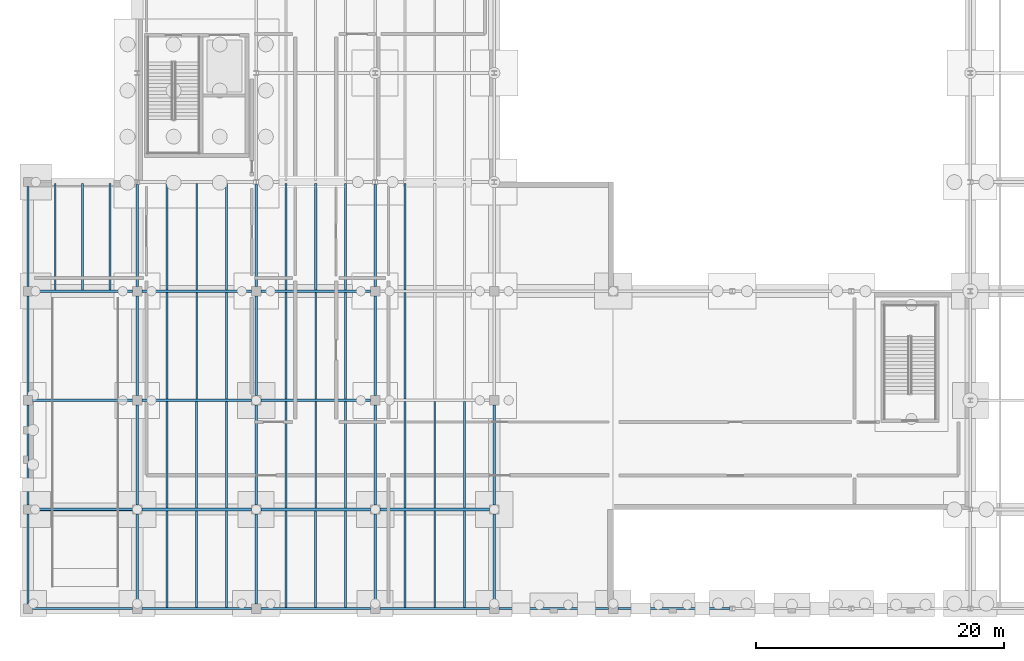
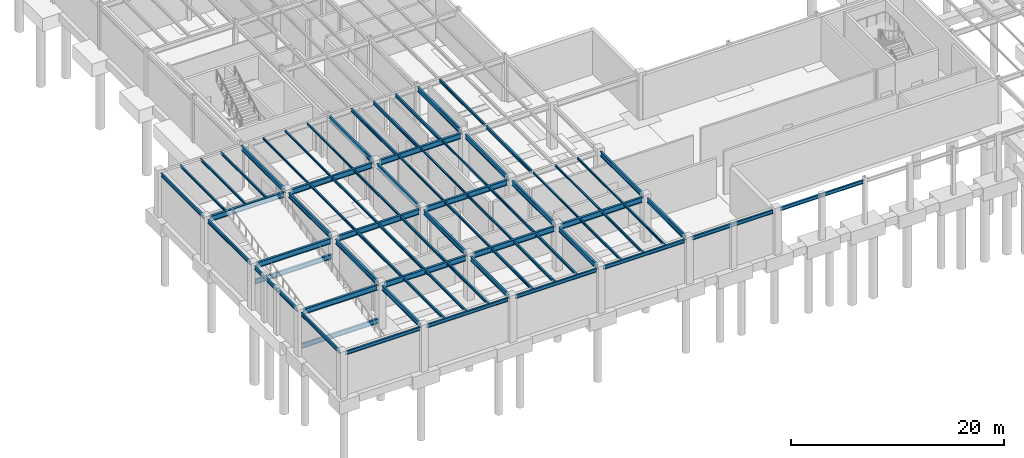
# One storey, part 17 of 48: 71 beams.
"""IFC4 building model written with IfcOpenShell, lengths in metres."""

from ifc_helpers import new_model, si_unit, direction, frame, origin, origin_2d, place, context, subcontext, project, spatial, i_section, extrude, material, material_profile, profile_set, type_object, element, save


model = new_model("IFC4")

# Units and contexts
model_context = context("Model", 3, precision=1e-05, world=origin(), true_north=direction((0.0, 1.0)))
body_context = subcontext(model_context, "Body", "Model", "MODEL_VIEW")
ifc_project = project(units=[si_unit("LENGTHUNIT", "METRE"), si_unit("AREAUNIT", "SQUARE_METRE"), si_unit("VOLUMEUNIT", "CUBIC_METRE"), si_unit("PLANEANGLEUNIT", "RADIAN"), si_unit("MASSUNIT", "GRAM", prefix="KILO")], contexts=[model_context])

# Site, building, storey
site_placement = place(None, origin())
site = spatial("IfcSite", under=ifc_project, at=site_placement, CompositionType="ELEMENT")
building_placement = place(site_placement, origin())
building = spatial("IfcBuilding", under=site, at=building_placement, Name="Sarnbrook Museum", CompositionType="ELEMENT")
storey_placement = place(building_placement, frame((0.0, 0.0, -5.39990234375)))
storey = spatial("IfcBuildingStorey", under=building, at=storey_placement, Name="B1", CompositionType="ELEMENT", Elevation=-5.39990234375)

# Beams
ifc_material = material(Name="Structural Steel Grade 300PLUS (AS/NZS 3679.1, fy = 280 MPa for 17 < t <= 40 mm, 300 MPa for t <= 17 mm)", Category="steel")
ifc_material_profile_1 = material_profile(ifc_material, i_section(OverallWidth=0.208984375, OverallDepth=0.532958984375, WebThickness=0.01025390625, FlangeThickness=0.015625, FilletRadius=0.013916015625, at=origin_2d()), Name="530UB92.4")
ifc_profile_set_1 = profile_set([ifc_material_profile_1], Name="Structural Steel Grade 300PLUS (AS/NZS 3679.1, fy = 280 MPa for 17 < t <= 40 mm, 300 MPa for t <= 17 mm)")
beam_type_1 = type_object("IfcBeamType", Name="BM-UB530", PredefinedType="BEAM", material=ifc_profile_set_1)
beam_1_placement = place(storey_placement, frame((13.60009765625, 5.175048828125, 4.803466796875), z_axis=(0.0, 1.0, 0.0), x_axis=(-1.0, 0.0, 0.0)))
element("IfcBeam", 1, at=beam_1_placement, inside=storey, type_object=beam_type_1, Name="Girder 2:A-B B1", PredefinedType="BEAM", context=body_context, shape_type="SweptSolid", body=[
    extrude(i_section(OverallWidth=0.208984375, OverallDepth=0.532958984375, WebThickness=0.01025390625, FlangeThickness=0.015625, FilletRadius=0.013916015625, at=origin_2d()), origin(), (0.0, 0.0, 1.0), 7.25),
])
beam_2_placement = place(storey_placement, frame((13.60009765625, 13.175048828125, 4.803466796875), z_axis=(0.0, 1.0, 0.0), x_axis=(-1.0, 0.0, 0.0)))
element("IfcBeam", 2, at=beam_2_placement, inside=storey, type_object=beam_type_1, Name="Girder 2:B-C B1", PredefinedType="BEAM", context=body_context, shape_type="SweptSolid", body=[
    extrude(i_section(OverallWidth=0.208984375, OverallDepth=0.532958984375, WebThickness=0.01025390625, FlangeThickness=0.015625, FilletRadius=0.013916015625, at=origin_2d()), origin(), (0.0, 0.0, 1.0), 8.050048828125),
])
beam_3_placement = place(storey_placement, frame((13.60009765625, 21.97509765625, 4.803466796875), z_axis=(0.0, 1.0, 0.0), x_axis=(-1.0, 0.0, 0.0)))
element("IfcBeam", 3, at=beam_3_placement, inside=storey, type_object=beam_type_1, Name="Girder 2:C-D B1", PredefinedType="BEAM", context=body_context, shape_type="SweptSolid", body=[
    extrude(i_section(OverallWidth=0.208984375, OverallDepth=0.532958984375, WebThickness=0.01025390625, FlangeThickness=0.015625, FilletRadius=0.013916015625, at=origin_2d()), origin(), (0.0, 0.0, 1.0), 8.0498046875),
])
beam_4_placement = place(storey_placement, frame((13.60009765625, 30.77490234375, 4.803466796875), z_axis=(0.0, 1.0, 0.0), x_axis=(-1.0, 0.0, 0.0)))
element("IfcBeam", 4, at=beam_4_placement, inside=storey, type_object=beam_type_1, Name="Girder 2:D-E B1", PredefinedType="BEAM", context=body_context, shape_type="SweptSolid", body=[
    extrude(i_section(OverallWidth=0.208984375, OverallDepth=0.532958984375, WebThickness=0.01025390625, FlangeThickness=0.015625, FilletRadius=0.013916015625, at=origin_2d()), origin(), (0.0, 0.0, 1.0), 8.234130859375),
])
beam_5_placement = place(storey_placement, frame((23.199951171875, 5.175048828125, 4.803466796875), z_axis=(0.0, 1.0, 0.0), x_axis=(-1.0, 0.0, 0.0)))
element("IfcBeam", 5, at=beam_5_placement, inside=storey, type_object=beam_type_1, Name="Girder 3:A-B B1", PredefinedType="BEAM", context=body_context, shape_type="SweptSolid", body=[
    extrude(i_section(OverallWidth=0.208984375, OverallDepth=0.532958984375, WebThickness=0.01025390625, FlangeThickness=0.015625, FilletRadius=0.013916015625, at=origin_2d()), origin(), (0.0, 0.0, 1.0), 7.25),
])
beam_6_placement = place(storey_placement, frame((23.199951171875, 13.175048828125, 4.803466796875), z_axis=(0.0, 1.0, 0.0), x_axis=(-1.0, 0.0, 0.0)))
element("IfcBeam", 6, at=beam_6_placement, inside=storey, type_object=beam_type_1, Name="Girder 3:B-C B1", PredefinedType="BEAM", context=body_context, shape_type="SweptSolid", body=[
    extrude(i_section(OverallWidth=0.208984375, OverallDepth=0.532958984375, WebThickness=0.01025390625, FlangeThickness=0.015625, FilletRadius=0.013916015625, at=origin_2d()), origin(), (0.0, 0.0, 1.0), 8.050048828125),
])
beam_7_placement = place(storey_placement, frame((23.199951171875, 21.97509765625, 4.803466796875), z_axis=(0.0, 1.0, 0.0), x_axis=(-1.0, 0.0, 0.0)))
element("IfcBeam", 7, at=beam_7_placement, inside=storey, type_object=beam_type_1, Name="Girder 3:C-D B1", PredefinedType="BEAM", context=body_context, shape_type="SweptSolid", body=[
    extrude(i_section(OverallWidth=0.208984375, OverallDepth=0.532958984375, WebThickness=0.01025390625, FlangeThickness=0.015625, FilletRadius=0.013916015625, at=origin_2d()), origin(), (0.0, 0.0, 1.0), 8.0498046875),
])
beam_8_placement = place(storey_placement, frame((23.199951171875, 30.77490234375, 4.803466796875), z_axis=(0.0, 1.0, 0.0), x_axis=(-1.0, 0.0, 0.0)))
element("IfcBeam", 8, at=beam_8_placement, inside=storey, type_object=beam_type_1, Name="Girder 3:D-E B1", PredefinedType="BEAM", context=body_context, shape_type="SweptSolid", body=[
    extrude(i_section(OverallWidth=0.208984375, OverallDepth=0.532958984375, WebThickness=0.01025390625, FlangeThickness=0.015625, FilletRadius=0.013916015625, at=origin_2d()), origin(), (0.0, 0.0, 1.0), 8.234130859375),
])
beam_9_placement = place(storey_placement, frame((32.800048828125, 5.175048828125, 4.803466796875), z_axis=(0.0, 1.0, 0.0), x_axis=(-1.0, 0.0, 0.0)))
element("IfcBeam", 9, at=beam_9_placement, inside=storey, type_object=beam_type_1, Name="Girder 4:A-B B1", PredefinedType="BEAM", context=body_context, shape_type="SweptSolid", body=[
    extrude(i_section(OverallWidth=0.208984375, OverallDepth=0.532958984375, WebThickness=0.01025390625, FlangeThickness=0.015625, FilletRadius=0.013916015625, at=origin_2d()), origin(), (0.0, 0.0, 1.0), 7.25),
])
beam_10_placement = place(storey_placement, frame((32.800048828125, 13.175048828125, 4.803466796875), z_axis=(0.0, 1.0, 0.0), x_axis=(-1.0, 0.0, 0.0)))
element("IfcBeam", 10, at=beam_10_placement, inside=storey, type_object=beam_type_1, Name="Girder 4:B-C B1", PredefinedType="BEAM", context=body_context, shape_type="SweptSolid", body=[
    extrude(i_section(OverallWidth=0.208984375, OverallDepth=0.532958984375, WebThickness=0.01025390625, FlangeThickness=0.015625, FilletRadius=0.013916015625, at=origin_2d()), origin(), (0.0, 0.0, 1.0), 8.050048828125),
])
beam_11_placement = place(storey_placement, frame((32.800048828125, 21.97509765625, 4.803466796875), z_axis=(0.0, 1.0, 0.0), x_axis=(-1.0, 0.0, 0.0)))
element("IfcBeam", 11, at=beam_11_placement, inside=storey, type_object=beam_type_1, Name="Girder 4:C-D B1", PredefinedType="BEAM", context=body_context, shape_type="SweptSolid", body=[
    extrude(i_section(OverallWidth=0.208984375, OverallDepth=0.532958984375, WebThickness=0.01025390625, FlangeThickness=0.015625, FilletRadius=0.013916015625, at=origin_2d()), origin(), (0.0, 0.0, 1.0), 8.0498046875),
])
beam_12_placement = place(storey_placement, frame((32.800048828125, 30.77490234375, 4.803466796875), z_axis=(0.0, 1.0, 0.0), x_axis=(-1.0, 0.0, 0.0)))
element("IfcBeam", 12, at=beam_12_placement, inside=storey, type_object=beam_type_1, Name="Girder 4:D-E B1", PredefinedType="BEAM", context=body_context, shape_type="SweptSolid", body=[
    extrude(i_section(OverallWidth=0.208984375, OverallDepth=0.532958984375, WebThickness=0.01025390625, FlangeThickness=0.015625, FilletRadius=0.013916015625, at=origin_2d()), origin(), (0.0, 0.0, 1.0), 8.234130859375),
])
beam_13_placement = place(storey_placement, frame((42.39990234375, 5.175048828125, 4.803466796875), z_axis=(0.0, 1.0, 0.0), x_axis=(-1.0, 0.0, 0.0)))
element("IfcBeam", 13, at=beam_13_placement, inside=storey, type_object=beam_type_1, Name="Girder 5:A-B B1", PredefinedType="BEAM", context=body_context, shape_type="SweptSolid", body=[
    extrude(i_section(OverallWidth=0.208984375, OverallDepth=0.532958984375, WebThickness=0.01025390625, FlangeThickness=0.015625, FilletRadius=0.013916015625, at=origin_2d()), origin(), (0.0, 0.0, 1.0), 7.25),
])
beam_14_placement = place(storey_placement, frame((42.39990234375, 13.175048828125, 4.803466796875), z_axis=(0.0, 1.0, 0.0), x_axis=(-1.0, 0.0, 0.0)))
element("IfcBeam", 14, at=beam_14_placement, inside=storey, type_object=beam_type_1, Name="Girder 5:B-C B1", PredefinedType="BEAM", context=body_context, shape_type="SweptSolid", body=[
    extrude(i_section(OverallWidth=0.208984375, OverallDepth=0.532958984375, WebThickness=0.01025390625, FlangeThickness=0.015625, FilletRadius=0.013916015625, at=origin_2d()), origin(), (0.0, 0.0, 1.0), 8.050048828125),
])
for number, where, z_axis, x_axis, name in (
    (15, (5.050048828125, 12.800048828125, 0.885009765625), (1.0, 0.0, 0.0), (0.0, 1.0, 0.0), "Vehicle Ramp VR-1 Transverse Support Girder 1 B1"),
    (16, (5.050048828125, 21.60009765625, 2.932861328125), (1.0, 0.0, 0.0), (0.0, 1.0, 0.0), "Vehicle Ramp VR-1 Transverse Support Girder 2 B1"),
):
    element("IfcBeam", number, at=place(storey_placement, frame(where, z_axis=z_axis, x_axis=x_axis)), inside=storey, type_object=beam_type_1, Name=name, PredefinedType="BEAM", context=body_context, shape_type="SweptSolid", body=[
        extrude(i_section(OverallWidth=0.208984375, OverallDepth=0.532958984375, WebThickness=0.01025390625, FlangeThickness=0.015625, FilletRadius=0.013916015625, at=origin_2d()), origin(), (0.0, 0.0, 1.0), 8.349853515625),
    ])
ifc_material_profile_2 = material_profile(ifc_material, i_section(OverallWidth=0.22900390625, OverallDepth=0.612060546875, WebThickness=0.011962890625, FlangeThickness=0.01953125, FilletRadius=0.013916015625, at=origin_2d()), Name="610UB125")
ifc_profile_set_2 = profile_set([ifc_material_profile_2], Name="Structural Steel Grade 300PLUS (AS/NZS 3679.1, fy = 280 MPa for 17 < t <= 40 mm, 300 MPa for t <= 17 mm)")
beam_type_2 = type_object("IfcBeamType", Name="BM-UB610H", PredefinedType="BEAM", material=ifc_profile_set_2)
beam_15_placement = place(storey_placement, frame((5.175048828125, 12.800048828125, 4.763916015625), z_axis=(1.0, 0.0, 0.0), x_axis=(0.0, 1.0, 0.0)))
element("IfcBeam", 17, at=beam_15_placement, inside=storey, type_object=beam_type_2, Name="Girder B:1-2 B1", PredefinedType="BEAM", context=body_context, shape_type="SweptSolid", body=[
    extrude(i_section(OverallWidth=0.22900390625, OverallDepth=0.612060546875, WebThickness=0.011962890625, FlangeThickness=0.01953125, FilletRadius=0.013916015625, at=origin_2d()), origin(), (0.0, 0.0, 1.0), 8.050048828125),
])
beam_16_placement = place(storey_placement, frame((13.97509765625, 12.800048828125, 4.763916015625), z_axis=(1.0, 0.0, 0.0), x_axis=(0.0, 1.0, 0.0)))
element("IfcBeam", 18, at=beam_16_placement, inside=storey, type_object=beam_type_2, Name="Girder B:2-3 B1", PredefinedType="BEAM", context=body_context, shape_type="SweptSolid", body=[
    extrude(i_section(OverallWidth=0.22900390625, OverallDepth=0.612060546875, WebThickness=0.011962890625, FlangeThickness=0.01953125, FilletRadius=0.013916015625, at=origin_2d()), origin(), (0.0, 0.0, 1.0), 8.849853515625),
])
beam_17_placement = place(storey_placement, frame((23.574951171875, 12.800048828125, 4.763916015625), z_axis=(1.0, 0.0, 0.0), x_axis=(0.0, 1.0, 0.0)))
element("IfcBeam", 19, at=beam_17_placement, inside=storey, type_object=beam_type_2, Name="Girder B:3-4 B1", PredefinedType="BEAM", context=body_context, shape_type="SweptSolid", body=[
    extrude(i_section(OverallWidth=0.22900390625, OverallDepth=0.612060546875, WebThickness=0.011962890625, FlangeThickness=0.01953125, FilletRadius=0.013916015625, at=origin_2d()), origin(), (0.0, 0.0, 1.0), 8.85009765625),
])
beam_18_placement = place(storey_placement, frame((33.175048828125, 12.800048828125, 4.763916015625), z_axis=(1.0, 0.0, 0.0), x_axis=(0.0, 1.0, 0.0)))
element("IfcBeam", 20, at=beam_18_placement, inside=storey, type_object=beam_type_2, Name="Girder B:4-5 B1", PredefinedType="BEAM", context=body_context, shape_type="SweptSolid", body=[
    extrude(i_section(OverallWidth=0.22900390625, OverallDepth=0.612060546875, WebThickness=0.011962890625, FlangeThickness=0.01953125, FilletRadius=0.013916015625, at=origin_2d()), origin(), (0.0, 0.0, 1.0), 8.849853515625),
])
beam_19_placement = place(storey_placement, frame((5.175048828125, 21.60009765625, 4.763916015625), z_axis=(1.0, 0.0, 0.0), x_axis=(0.0, 1.0, 0.0)))
element("IfcBeam", 21, at=beam_19_placement, inside=storey, type_object=beam_type_2, Name="Girder C:1-2 B1", PredefinedType="BEAM", context=body_context, shape_type="SweptSolid", body=[
    extrude(i_section(OverallWidth=0.22900390625, OverallDepth=0.612060546875, WebThickness=0.011962890625, FlangeThickness=0.01953125, FilletRadius=0.013916015625, at=origin_2d()), origin(), (0.0, 0.0, 1.0), 8.050048828125),
])
beam_20_placement = place(storey_placement, frame((13.97509765625, 21.60009765625, 4.763916015625), z_axis=(1.0, 0.0, 0.0), x_axis=(0.0, 1.0, 0.0)))
element("IfcBeam", 22, at=beam_20_placement, inside=storey, type_object=beam_type_2, Name="Girder C:2-3 B1", PredefinedType="BEAM", context=body_context, shape_type="SweptSolid", body=[
    extrude(i_section(OverallWidth=0.22900390625, OverallDepth=0.612060546875, WebThickness=0.011962890625, FlangeThickness=0.01953125, FilletRadius=0.013916015625, at=origin_2d()), origin(), (0.0, 0.0, 1.0), 8.849853515625),
])
beam_21_placement = place(storey_placement, frame((23.574951171875, 21.60009765625, 4.763916015625), z_axis=(1.0, 0.0, 0.0), x_axis=(0.0, 1.0, 0.0)))
element("IfcBeam", 23, at=beam_21_placement, inside=storey, type_object=beam_type_2, Name="Girder C:3-4 B1", PredefinedType="BEAM", context=body_context, shape_type="SweptSolid", body=[
    extrude(i_section(OverallWidth=0.22900390625, OverallDepth=0.612060546875, WebThickness=0.011962890625, FlangeThickness=0.01953125, FilletRadius=0.013916015625, at=origin_2d()), origin(), (0.0, 0.0, 1.0), 8.85009765625),
])
beam_22_placement = place(storey_placement, frame((5.175048828125, 30.39990234375, 4.763916015625), z_axis=(1.0, 0.0, 0.0), x_axis=(0.0, 1.0, 0.0)))
element("IfcBeam", 24, at=beam_22_placement, inside=storey, type_object=beam_type_2, Name="Girder D:1-2 B1", PredefinedType="BEAM", context=body_context, shape_type="SweptSolid", body=[
    extrude(i_section(OverallWidth=0.22900390625, OverallDepth=0.612060546875, WebThickness=0.011962890625, FlangeThickness=0.01953125, FilletRadius=0.013916015625, at=origin_2d()), origin(), (0.0, 0.0, 1.0), 8.050048828125),
])
beam_23_placement = place(storey_placement, frame((13.97509765625, 30.39990234375, 4.763916015625), z_axis=(1.0, 0.0, 0.0), x_axis=(0.0, 1.0, 0.0)))
element("IfcBeam", 25, at=beam_23_placement, inside=storey, type_object=beam_type_2, Name="Girder D:2-3 B1", PredefinedType="BEAM", context=body_context, shape_type="SweptSolid", body=[
    extrude(i_section(OverallWidth=0.22900390625, OverallDepth=0.612060546875, WebThickness=0.011962890625, FlangeThickness=0.01953125, FilletRadius=0.013916015625, at=origin_2d()), origin(), (0.0, 0.0, 1.0), 8.849853515625),
])
beam_24_placement = place(storey_placement, frame((23.574951171875, 30.39990234375, 4.763916015625), z_axis=(1.0, 0.0, 0.0), x_axis=(0.0, 1.0, 0.0)))
element("IfcBeam", 26, at=beam_24_placement, inside=storey, type_object=beam_type_2, Name="Girder D:3-4 B1", PredefinedType="BEAM", context=body_context, shape_type="SweptSolid", body=[
    extrude(i_section(OverallWidth=0.22900390625, OverallDepth=0.612060546875, WebThickness=0.011962890625, FlangeThickness=0.01953125, FilletRadius=0.013916015625, at=origin_2d()), origin(), (0.0, 0.0, 1.0), 8.85009765625),
])
ifc_material_profile_3 = material_profile(ifc_material, i_section(OverallWidth=0.134033203125, OverallDepth=0.20703125, WebThickness=0.00634765625, FlangeThickness=0.009521484375, FilletRadius=0.0087890625, at=origin_2d()), Name="200UB29.8")
ifc_profile_set_3 = profile_set([ifc_material_profile_3], Name="Structural Steel Grade 300PLUS (AS/NZS 3679.1, fy = 280 MPa for 17 < t <= 40 mm, 300 MPa for t <= 17 mm)")
beam_type_3 = type_object("IfcBeamType", Name="JS-UB200", PredefinedType="JOIST", material=ifc_profile_set_3)
for number, where, z_axis, x_axis, name in (
    (27, (16.0, 30.514404296875, 4.96630859375), (0.0, 1.0, 0.0), (-1.0, 0.0, 0.0), "Composite Floor Joist 2D-1 B1"),
    (28, (18.39990234375, 30.514404296875, 4.96630859375), (0.0, 1.0, 0.0), (-1.0, 0.0, 0.0), "Composite Floor Joist 2D-2 B1"),
    (29, (20.800048828125, 30.514404296875, 4.96630859375), (0.0, 1.0, 0.0), (-1.0, 0.0, 0.0), "Composite Floor Joist 2D-3 B1"),
):
    element("IfcBeam", number, at=place(storey_placement, frame(where, z_axis=z_axis, x_axis=x_axis)), inside=storey, type_object=beam_type_3, Name=name, PredefinedType="JOIST", context=body_context, shape_type="SweptSolid", body=[
        extrude(i_section(OverallWidth=0.134033203125, OverallDepth=0.20703125, WebThickness=0.00634765625, FlangeThickness=0.009521484375, FilletRadius=0.0087890625, at=origin_2d()), origin(), (0.0, 0.0, 1.0), 8.571044921875),
    ])
for number, where, z_axis, x_axis, name in (
    (30, (25.60009765625, 21.714599609375, 4.96630859375), (0.0, 1.0, 0.0), (-1.0, 0.0, 0.0), "Composite Floor Joist 3C-1 B1"),
    (31, (28.0, 21.714599609375, 4.96630859375), (0.0, 1.0, 0.0), (-1.0, 0.0, 0.0), "Composite Floor Joist 3C-2 B1"),
    (32, (30.39990234375, 21.714599609375, 4.96630859375), (0.0, 1.0, 0.0), (-1.0, 0.0, 0.0), "Composite Floor Joist 3C-3 B1"),
):
    element("IfcBeam", number, at=place(storey_placement, frame(where, z_axis=z_axis, x_axis=x_axis)), inside=storey, type_object=beam_type_3, Name=name, PredefinedType="JOIST", context=body_context, shape_type="SweptSolid", body=[
        extrude(i_section(OverallWidth=0.134033203125, OverallDepth=0.20703125, WebThickness=0.00634765625, FlangeThickness=0.009521484375, FilletRadius=0.0087890625, at=origin_2d()), origin(), (0.0, 0.0, 1.0), 8.57080078125),
    ])
for number, where, z_axis, x_axis, name in (
    (33, (35.199951171875, 12.91455078125, 4.96630859375), (0.0, 1.0, 0.0), (-1.0, 0.0, 0.0), "Composite Floor Joist 4B-1 B1"),
    (34, (37.60009765625, 12.91455078125, 4.96630859375), (0.0, 1.0, 0.0), (-1.0, 0.0, 0.0), "Composite Floor Joist 4B-2 B1"),
    (35, (40.0, 12.91455078125, 4.96630859375), (0.0, 1.0, 0.0), (-1.0, 0.0, 0.0), "Composite Floor Joist 4B-3 B1"),
):
    element("IfcBeam", number, at=place(storey_placement, frame(where, z_axis=z_axis, x_axis=x_axis)), inside=storey, type_object=beam_type_3, Name=name, PredefinedType="JOIST", context=body_context, shape_type="SweptSolid", body=[
        extrude(i_section(OverallWidth=0.134033203125, OverallDepth=0.20703125, WebThickness=0.00634765625, FlangeThickness=0.009521484375, FilletRadius=0.0087890625, at=origin_2d()), origin(), (0.0, 0.0, 1.0), 8.571044921875),
    ])
ifc_material_profile_4 = material_profile(ifc_material, i_section(OverallWidth=0.14599609375, OverallDepth=0.256103515625, WebThickness=0.00634765625, FlangeThickness=0.010986328125, FilletRadius=0.0087890625, at=origin_2d()), Name="250UB37.3")
ifc_profile_set_4 = profile_set([ifc_material_profile_4], Name="Structural Steel Grade 300PLUS (AS/NZS 3679.1, fy = 280 MPa for 17 < t <= 40 mm, 300 MPa for t <= 17 mm)")
beam_type_4 = type_object("IfcBeamType", Name="JS-UB250", PredefinedType="JOIST", material=ifc_profile_set_4)
for number, where, z_axis, x_axis, name in (
    (36, (7.0, 30.514404296875, 4.94189453125), (0.0, 1.0, 0.0), (-1.0, 0.0, 0.0), "Composite Floor Joist 1D-1 B1"),
    (37, (9.199951171875, 30.514404296875, 4.94189453125), (0.0, 1.0, 0.0), (-1.0, 0.0, 0.0), "Composite Floor Joist 1D-2 B1"),
    (38, (11.39990234375, 30.514404296875, 4.94189453125), (0.0, 1.0, 0.0), (-1.0, 0.0, 0.0), "Composite Floor Joist 1D-3 B1"),
):
    element("IfcBeam", number, at=place(storey_placement, frame(where, z_axis=z_axis, x_axis=x_axis)), inside=storey, type_object=beam_type_4, Name=name, PredefinedType="JOIST", context=body_context, shape_type="SweptSolid", body=[
        extrude(i_section(OverallWidth=0.14599609375, OverallDepth=0.256103515625, WebThickness=0.00634765625, FlangeThickness=0.010986328125, FilletRadius=0.0087890625, at=origin_2d()), origin(), (0.0, 0.0, 1.0), 8.571044921875),
    ])
for number, where, z_axis, x_axis, name in (
    (39, (16.0, 21.714599609375, 4.94189453125), (0.0, 1.0, 0.0), (-1.0, 0.0, 0.0), "Composite Floor Joist 2C-1 B1"),
    (40, (18.39990234375, 21.714599609375, 4.94189453125), (0.0, 1.0, 0.0), (-1.0, 0.0, 0.0), "Composite Floor Joist 2C-2 B1"),
    (41, (20.800048828125, 21.714599609375, 4.94189453125), (0.0, 1.0, 0.0), (-1.0, 0.0, 0.0), "Composite Floor Joist 2C-3 B1"),
):
    element("IfcBeam", number, at=place(storey_placement, frame(where, z_axis=z_axis, x_axis=x_axis)), inside=storey, type_object=beam_type_4, Name=name, PredefinedType="JOIST", context=body_context, shape_type="SweptSolid", body=[
        extrude(i_section(OverallWidth=0.14599609375, OverallDepth=0.256103515625, WebThickness=0.00634765625, FlangeThickness=0.010986328125, FilletRadius=0.0087890625, at=origin_2d()), origin(), (0.0, 0.0, 1.0), 8.57080078125),
    ])
for number, where, z_axis, x_axis, name in (
    (42, (25.60009765625, 12.91455078125, 4.94189453125), (0.0, 1.0, 0.0), (-1.0, 0.0, 0.0), "Composite Floor Joist 3B-1 B1"),
    (43, (28.0, 12.91455078125, 4.94189453125), (0.0, 1.0, 0.0), (-1.0, 0.0, 0.0), "Composite Floor Joist 3B-2 B1"),
    (44, (30.39990234375, 12.91455078125, 4.94189453125), (0.0, 1.0, 0.0), (-1.0, 0.0, 0.0), "Composite Floor Joist 3B-3 B1"),
):
    element("IfcBeam", number, at=place(storey_placement, frame(where, z_axis=z_axis, x_axis=x_axis)), inside=storey, type_object=beam_type_4, Name=name, PredefinedType="JOIST", context=body_context, shape_type="SweptSolid", body=[
        extrude(i_section(OverallWidth=0.14599609375, OverallDepth=0.256103515625, WebThickness=0.00634765625, FlangeThickness=0.010986328125, FilletRadius=0.0087890625, at=origin_2d()), origin(), (0.0, 0.0, 1.0), 8.571044921875),
    ])
for number, where, z_axis, x_axis, name in (
    (45, (35.199951171875, 4.888916015625, 4.94189453125), (0.0, 1.0, 0.0), (-1.0, 0.0, 0.0), "Composite Floor Joist 4A-1 B1"),
    (46, (37.60009765625, 4.888916015625, 4.94189453125), (0.0, 1.0, 0.0), (-1.0, 0.0, 0.0), "Composite Floor Joist 4A-2 B1"),
    (47, (40.0, 4.888916015625, 4.94189453125), (0.0, 1.0, 0.0), (-1.0, 0.0, 0.0), "Composite Floor Joist 4A-3 B1"),
):
    element("IfcBeam", number, at=place(storey_placement, frame(where, z_axis=z_axis, x_axis=x_axis)), inside=storey, type_object=beam_type_4, Name=name, PredefinedType="JOIST", context=body_context, shape_type="SweptSolid", body=[
        extrude(i_section(OverallWidth=0.14599609375, OverallDepth=0.256103515625, WebThickness=0.00634765625, FlangeThickness=0.010986328125, FilletRadius=0.0087890625, at=origin_2d()), origin(), (0.0, 0.0, 1.0), 7.796630859375),
    ])
ifc_material_profile_5 = material_profile(ifc_material, i_section(OverallWidth=0.1650390625, OverallDepth=0.303955078125, WebThickness=0.006103515625, FlangeThickness=0.01025390625, FilletRadius=0.011474609375, at=origin_2d()), Name="310UB40.4")
ifc_profile_set_5 = profile_set([ifc_material_profile_5], Name="Structural Steel Grade 300PLUS (AS/NZS 3679.1, fy = 280 MPa for 17 < t <= 40 mm, 300 MPa for t <= 17 mm)")
beam_type_5 = type_object("IfcBeamType", Name="JS-UB310", PredefinedType="JOIST", material=ifc_profile_set_5)
for number, where, z_axis, x_axis, name in (
    (48, (16.0, 12.91455078125, 4.91796875), (0.0, 1.0, 0.0), (-1.0, 0.0, 0.0), "Composite Floor Joist 2B-1 B1"),
    (49, (18.39990234375, 12.91455078125, 4.91796875), (0.0, 1.0, 0.0), (-1.0, 0.0, 0.0), "Composite Floor Joist 2B-2 B1"),
    (50, (20.800048828125, 12.91455078125, 4.91796875), (0.0, 1.0, 0.0), (-1.0, 0.0, 0.0), "Composite Floor Joist 2B-3 B1"),
):
    element("IfcBeam", number, at=place(storey_placement, frame(where, z_axis=z_axis, x_axis=x_axis)), inside=storey, type_object=beam_type_5, Name=name, PredefinedType="JOIST", context=body_context, shape_type="SweptSolid", body=[
        extrude(i_section(OverallWidth=0.1650390625, OverallDepth=0.303955078125, WebThickness=0.006103515625, FlangeThickness=0.01025390625, FilletRadius=0.011474609375, at=origin_2d()), origin(), (0.0, 0.0, 1.0), 8.571044921875),
    ])
for number, where, z_axis, x_axis, name in (
    (51, (25.60009765625, 4.888916015625, 4.91796875), (0.0, 1.0, 0.0), (-1.0, 0.0, 0.0), "Composite Floor Joist 3A-1 B1"),
    (52, (28.0, 4.888916015625, 4.91796875), (0.0, 1.0, 0.0), (-1.0, 0.0, 0.0), "Composite Floor Joist 3A-2 B1"),
    (53, (30.39990234375, 4.888916015625, 4.91796875), (0.0, 1.0, 0.0), (-1.0, 0.0, 0.0), "Composite Floor Joist 3A-3 B1"),
):
    element("IfcBeam", number, at=place(storey_placement, frame(where, z_axis=z_axis, x_axis=x_axis)), inside=storey, type_object=beam_type_5, Name=name, PredefinedType="JOIST", context=body_context, shape_type="SweptSolid", body=[
        extrude(i_section(OverallWidth=0.1650390625, OverallDepth=0.303955078125, WebThickness=0.006103515625, FlangeThickness=0.01025390625, FilletRadius=0.011474609375, at=origin_2d()), origin(), (0.0, 0.0, 1.0), 7.796630859375),
    ])
ifc_material_profile_6 = material_profile(ifc_material, i_section(OverallWidth=0.166015625, OverallDepth=0.306884765625, WebThickness=0.006591796875, FlangeThickness=0.01171875, FilletRadius=0.011474609375, at=origin_2d()), Name="310UB46.2")
ifc_profile_set_6 = profile_set([ifc_material_profile_6], Name="Structural Steel Grade 300PLUS (AS/NZS 3679.1, fy = 280 MPa for 17 < t <= 40 mm, 300 MPa for t <= 17 mm)")
beam_type_6 = type_object("IfcBeamType", Name="JS-UB310H", PredefinedType="JOIST", material=ifc_profile_set_6)
for number, where, z_axis, x_axis, name in (
    (54, (16.0, 4.888916015625, 4.91650390625), (0.0, 1.0, 0.0), (-1.0, 0.0, 0.0), "Composite Floor Joist 2A-1 B1"),
    (55, (18.39990234375, 4.888916015625, 4.91650390625), (0.0, 1.0, 0.0), (-1.0, 0.0, 0.0), "Composite Floor Joist 2A-2 B1"),
    (56, (20.800048828125, 4.888916015625, 4.91650390625), (0.0, 1.0, 0.0), (-1.0, 0.0, 0.0), "Composite Floor Joist 2A-3 B1"),
):
    element("IfcBeam", number, at=place(storey_placement, frame(where, z_axis=z_axis, x_axis=x_axis)), inside=storey, type_object=beam_type_6, Name=name, PredefinedType="JOIST", context=body_context, shape_type="SweptSolid", body=[
        extrude(i_section(OverallWidth=0.166015625, OverallDepth=0.306884765625, WebThickness=0.006591796875, FlangeThickness=0.01171875, FilletRadius=0.011474609375, at=origin_2d()), origin(), (0.0, 0.0, 1.0), 7.796630859375),
    ])
beam_25_placement = place(storey_placement, frame((35.199951171875, 30.514404296875, 4.91650390625), z_axis=(0.0, 1.0, 0.0), x_axis=(-1.0, 0.0, 0.0)))
element("IfcBeam", 57, at=beam_25_placement, inside=storey, type_object=beam_type_6, Name="Composite Floor Joist 4D-1 B1", PredefinedType="JOIST", context=body_context, shape_type="SweptSolid", body=[
    extrude(i_section(OverallWidth=0.166015625, OverallDepth=0.306884765625, WebThickness=0.006591796875, FlangeThickness=0.01171875, FilletRadius=0.011474609375, at=origin_2d()), origin(), (0.0, 0.0, 1.0), 8.571044921875),
])
ifc_material_profile_7 = material_profile(ifc_material, i_section(OverallWidth=0.1708984375, OverallDepth=0.35595703125, WebThickness=0.00732421875, FlangeThickness=0.011474609375, FilletRadius=0.011474609375, at=origin_2d()), Name="360UB50.7")
ifc_profile_set_7 = profile_set([ifc_material_profile_7], Name="Structural Steel Grade 300PLUS (AS/NZS 3679.1, fy = 280 MPa for 17 < t <= 40 mm, 300 MPa for t <= 17 mm)")
beam_type_7 = type_object("IfcBeamType", Name="JS-UB360", PredefinedType="JOIST", material=ifc_profile_set_7)
for number, where, z_axis, x_axis, name in (
    (58, (25.60009765625, 30.514404296875, 4.891845703125), (0.0, 1.0, 0.0), (-1.0, 0.0, 0.0), "Composite Floor Joist 3D-1 B1"),
    (59, (28.0, 30.514404296875, 4.891845703125), (0.0, 1.0, 0.0), (-1.0, 0.0, 0.0), "Composite Floor Joist 3D-2 B1"),
    (60, (30.39990234375, 30.514404296875, 4.891845703125), (0.0, 1.0, 0.0), (-1.0, 0.0, 0.0), "Composite Floor Joist 3D-3 B1"),
):
    element("IfcBeam", number, at=place(storey_placement, frame(where, z_axis=z_axis, x_axis=x_axis)), inside=storey, type_object=beam_type_7, Name=name, PredefinedType="JOIST", context=body_context, shape_type="SweptSolid", body=[
        extrude(i_section(OverallWidth=0.1708984375, OverallDepth=0.35595703125, WebThickness=0.00732421875, FlangeThickness=0.011474609375, FilletRadius=0.011474609375, at=origin_2d()), origin(), (0.0, 0.0, 1.0), 8.571044921875),
    ])
beam_26_placement = place(storey_placement, frame((35.199951171875, 21.714599609375, 4.891845703125), z_axis=(0.0, 1.0, 0.0), x_axis=(-1.0, 0.0, 0.0)))
element("IfcBeam", 61, at=beam_26_placement, inside=storey, type_object=beam_type_7, Name="Composite Floor Joist 4C-1 B1", PredefinedType="JOIST", context=body_context, shape_type="SweptSolid", body=[
    extrude(i_section(OverallWidth=0.1708984375, OverallDepth=0.35595703125, WebThickness=0.00732421875, FlangeThickness=0.011474609375, FilletRadius=0.011474609375, at=origin_2d()), origin(), (0.0, 0.0, 1.0), 8.57080078125),
])
ifc_material_profile_8 = material_profile(ifc_material, i_section(OverallWidth=0.177978515625, OverallDepth=0.406005859375, WebThickness=0.0078125, FlangeThickness=0.0126953125, FilletRadius=0.011474609375, at=origin_2d()), Name="410UB59.7")
ifc_profile_set_8 = profile_set([ifc_material_profile_8], Name="Structural Steel Grade 300PLUS (AS/NZS 3679.1, fy = 280 MPa for 17 < t <= 40 mm, 300 MPa for t <= 17 mm)")
beam_type_8 = type_object("IfcBeamType", Name="SP-UB410", PredefinedType="SPANDREL", material=ifc_profile_set_8)
beam_27_placement = place(storey_placement, frame((5.175048828125, 4.800048828125, 4.866943359375), z_axis=(1.0, 0.0, 0.0), x_axis=(0.0, 1.0, 0.0)))
element("IfcBeam", 62, at=beam_27_placement, inside=storey, type_object=beam_type_8, Name="Girder A:1-2 B1", PredefinedType="SPANDREL", context=body_context, shape_type="SweptSolid", body=[
    extrude(i_section(OverallWidth=0.177978515625, OverallDepth=0.406005859375, WebThickness=0.0078125, FlangeThickness=0.0126953125, FilletRadius=0.011474609375, at=origin_2d()), origin(), (0.0, 0.0, 1.0), 8.050048828125),
])
beam_28_placement = place(storey_placement, frame((13.97509765625, 4.800048828125, 4.866943359375), z_axis=(1.0, 0.0, 0.0), x_axis=(0.0, 1.0, 0.0)))
element("IfcBeam", 63, at=beam_28_placement, inside=storey, type_object=beam_type_8, Name="Girder A:2-3 B1", PredefinedType="SPANDREL", context=body_context, shape_type="SweptSolid", body=[
    extrude(i_section(OverallWidth=0.177978515625, OverallDepth=0.406005859375, WebThickness=0.0078125, FlangeThickness=0.0126953125, FilletRadius=0.011474609375, at=origin_2d()), origin(), (0.0, 0.0, 1.0), 8.849853515625),
])
beam_29_placement = place(storey_placement, frame((23.574951171875, 4.800048828125, 4.866943359375), z_axis=(1.0, 0.0, 0.0), x_axis=(0.0, 1.0, 0.0)))
element("IfcBeam", 64, at=beam_29_placement, inside=storey, type_object=beam_type_8, Name="Girder A:3-4 B1", PredefinedType="SPANDREL", context=body_context, shape_type="SweptSolid", body=[
    extrude(i_section(OverallWidth=0.177978515625, OverallDepth=0.406005859375, WebThickness=0.0078125, FlangeThickness=0.0126953125, FilletRadius=0.011474609375, at=origin_2d()), origin(), (0.0, 0.0, 1.0), 8.85009765625),
])
beam_30_placement = place(storey_placement, frame((33.175048828125, 4.800048828125, 4.866943359375), z_axis=(1.0, 0.0, 0.0), x_axis=(0.0, 1.0, 0.0)))
element("IfcBeam", 65, at=beam_30_placement, inside=storey, type_object=beam_type_8, Name="Girder A:4-5 B1", PredefinedType="SPANDREL", context=body_context, shape_type="SweptSolid", body=[
    extrude(i_section(OverallWidth=0.177978515625, OverallDepth=0.406005859375, WebThickness=0.0078125, FlangeThickness=0.0126953125, FilletRadius=0.011474609375, at=origin_2d()), origin(), (0.0, 0.0, 1.0), 8.849853515625),
])
beam_31_placement = place(storey_placement, frame((42.77490234375, 4.800048828125, 4.876953125), z_axis=(1.0, 0.0, 0.0), x_axis=(0.0, 1.0, 0.0)))
element("IfcBeam", 66, at=beam_31_placement, inside=storey, type_object=beam_type_8, Name="Girder A:5-6 B1", PredefinedType="SPANDREL", context=body_context, shape_type="SweptSolid", body=[
    extrude(i_section(OverallWidth=0.177978515625, OverallDepth=0.406005859375, WebThickness=0.0078125, FlangeThickness=0.0126953125, FilletRadius=0.011474609375, at=origin_2d()), origin(), (0.0, 0.0, 1.0), 8.85009765625),
])
beam_32_placement = place(storey_placement, frame((52.375, 4.800048828125, 4.876953125), z_axis=(1.0, 0.0, 0.0), x_axis=(0.0, 1.0, 0.0)))
element("IfcBeam", 67, at=beam_32_placement, inside=storey, type_object=beam_type_8, Name="Girder A:6-7 B1", PredefinedType="SPANDREL", context=body_context, shape_type="SweptSolid", body=[
    extrude(i_section(OverallWidth=0.177978515625, OverallDepth=0.406005859375, WebThickness=0.0078125, FlangeThickness=0.0126953125, FilletRadius=0.011474609375, at=origin_2d()), origin(), (0.0, 0.0, 1.0), 9.02490234375),
])
beam_33_placement = place(storey_placement, frame((4.800048828125, 5.175048828125, 4.866943359375), z_axis=(0.0, 1.0, 0.0), x_axis=(-1.0, 0.0, 0.0)))
element("IfcBeam", 68, at=beam_33_placement, inside=storey, type_object=beam_type_8, Name="Girder 1:A-B B1", PredefinedType="SPANDREL", context=body_context, shape_type="SweptSolid", body=[
    extrude(i_section(OverallWidth=0.177978515625, OverallDepth=0.406005859375, WebThickness=0.0078125, FlangeThickness=0.0126953125, FilletRadius=0.011474609375, at=origin_2d()), origin(), (0.0, 0.0, 1.0), 7.25),
])
beam_34_placement = place(storey_placement, frame((4.800048828125, 13.175048828125, 4.866943359375), z_axis=(0.0, 1.0, 0.0), x_axis=(-1.0, 0.0, 0.0)))
element("IfcBeam", 69, at=beam_34_placement, inside=storey, type_object=beam_type_8, Name="Girder 1:B-C B1", PredefinedType="SPANDREL", context=body_context, shape_type="SweptSolid", body=[
    extrude(i_section(OverallWidth=0.177978515625, OverallDepth=0.406005859375, WebThickness=0.0078125, FlangeThickness=0.0126953125, FilletRadius=0.011474609375, at=origin_2d()), origin(), (0.0, 0.0, 1.0), 8.050048828125),
])
beam_35_placement = place(storey_placement, frame((4.800048828125, 21.97509765625, 4.866943359375), z_axis=(0.0, 1.0, 0.0), x_axis=(-1.0, 0.0, 0.0)))
element("IfcBeam", 70, at=beam_35_placement, inside=storey, type_object=beam_type_8, Name="Girder 1:C-D B1", PredefinedType="SPANDREL", context=body_context, shape_type="SweptSolid", body=[
    extrude(i_section(OverallWidth=0.177978515625, OverallDepth=0.406005859375, WebThickness=0.0078125, FlangeThickness=0.0126953125, FilletRadius=0.011474609375, at=origin_2d()), origin(), (0.0, 0.0, 1.0), 8.0498046875),
])
beam_36_placement = place(storey_placement, frame((4.800048828125, 30.77490234375, 4.866943359375), z_axis=(0.0, 1.0, 0.0), x_axis=(-1.0, 0.0, 0.0)))
element("IfcBeam", 71, at=beam_36_placement, inside=storey, type_object=beam_type_8, Name="Girder 1:D-E B1", PredefinedType="SPANDREL", context=body_context, shape_type="SweptSolid", body=[
    extrude(i_section(OverallWidth=0.177978515625, OverallDepth=0.406005859375, WebThickness=0.0078125, FlangeThickness=0.0126953125, FilletRadius=0.011474609375, at=origin_2d()), origin(), (0.0, 0.0, 1.0), 8.050048828125),
])

save(model, "model.ifc")
